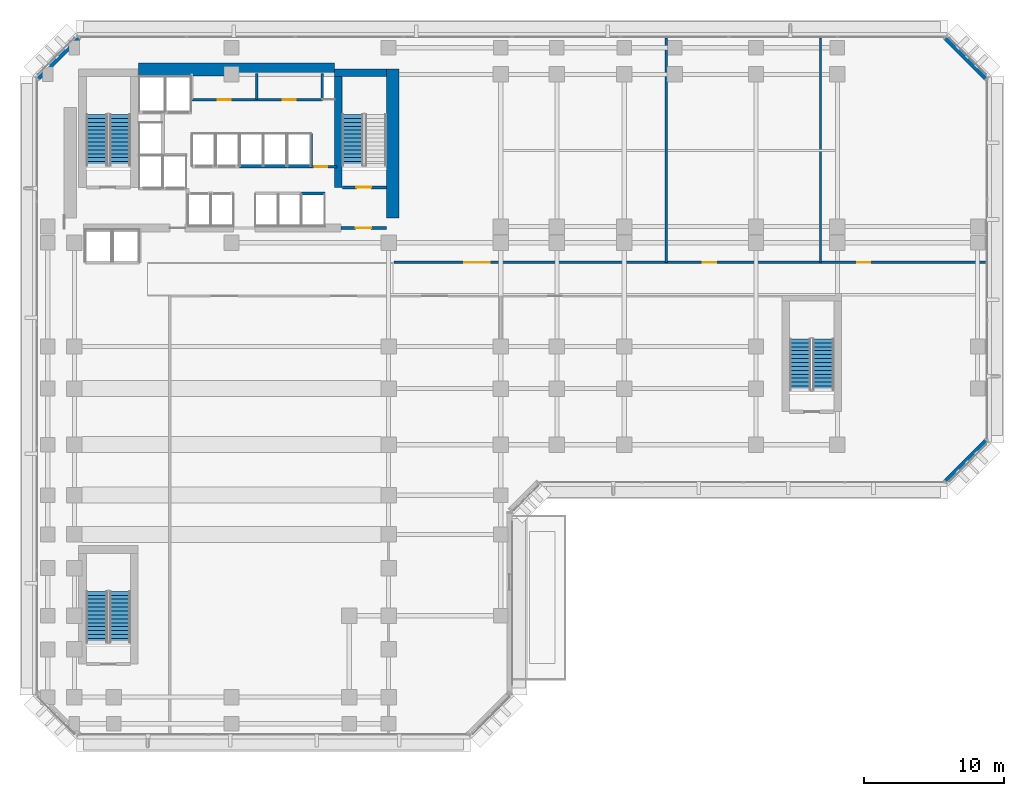
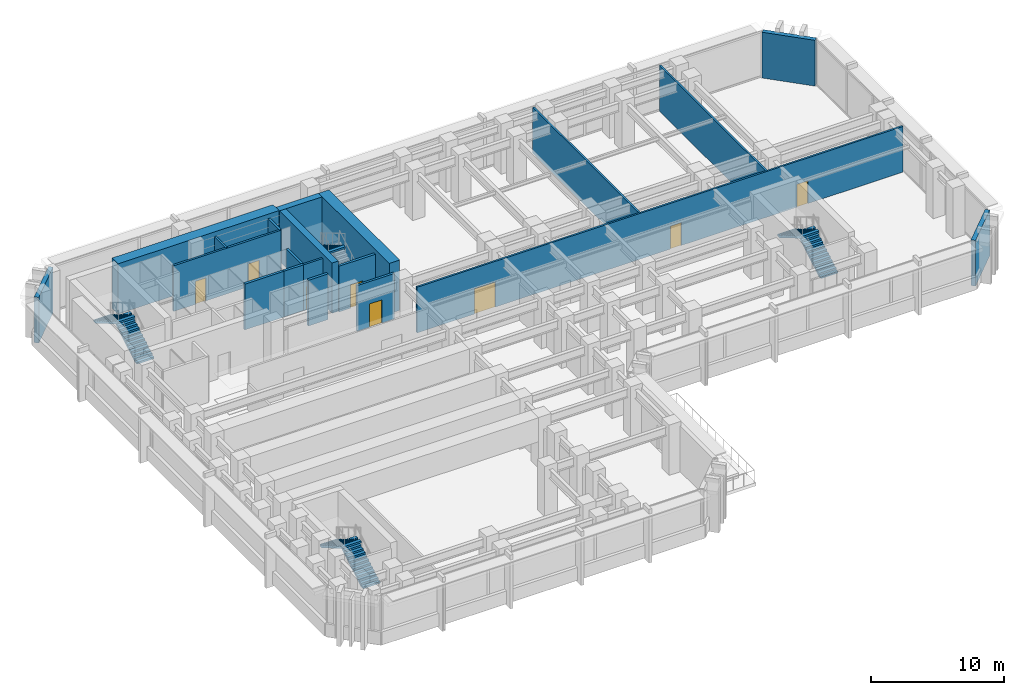
# One storey, part 8 of 16: 20 walls, 8 doors, 7 stair flights, 8 openings, 4 elements without a shape of their own.
"""IFC4 building model written with IfcOpenShell, lengths in metres."""

from ifc_helpers import new_model, si_unit, direction, frame, frame_2d, origin, place, context, subcontext, project, spatial, polyline, rectangle, outline, extrude, material, layer, layer_set, type_object, element, fill, aggregate, save


model = new_model("IFC4")

# Units and contexts
model_context = context("Model", 3, precision=1e-05, world=origin(), true_north=direction((0.0, 1.0)))
body_context = subcontext(model_context, "Body", "Model", "MODEL_VIEW")
ifc_project = project(units=[si_unit("LENGTHUNIT", "METRE"), si_unit("AREAUNIT", "SQUARE_METRE"), si_unit("VOLUMEUNIT", "CUBIC_METRE"), si_unit("PLANEANGLEUNIT", "RADIAN"), si_unit("MASSUNIT", "GRAM", prefix="KILO")], contexts=[model_context])

# Site, building, storey
site_placement = place(None, origin())
site = spatial("IfcSite", under=ifc_project, at=site_placement, CompositionType="ELEMENT")
building_placement = place(site_placement, origin())
building = spatial("IfcBuilding", under=site, at=building_placement, Name="Kefirva Bronze Tower", CompositionType="ELEMENT")
storey_placement = place(building_placement, frame((0.0, 0.0, 21.1201171875)))
storey = spatial("IfcBuildingStorey", under=building, at=storey_placement, Name="L04", CompositionType="ELEMENT", Elevation=21.1201171875)

# Wall, opening, door
ifc_material_1 = material(Name="Gypsum fireboard shaftwall")
ifc_layer_1 = layer(ifc_material_1, 0.219970703125, Name="Gypsum fireboard shaftwall")
ifc_layer_set_1 = layer_set([ifc_layer_1], Name="Gypsum fireboard shaftwall")
wall_type_1 = type_object("IfcWallType", Name="Fire-Rated Shaft Enclosure Wall 220mm", PredefinedType="PARTITIONING", material=ifc_layer_set_1)
wall_1_placement = place(storey_placement, frame((19.89990234375, 37.14990234375, 0.0), z_axis=(0.0, 0.0, 1.0), x_axis=(1.0, 0.0, 0.0)))
wall_1 = element("IfcWall", 1, at=wall_1_placement, inside=storey, type_object=wall_type_1, Name="L04 Partition W-L04-ST2S", PredefinedType="PARTITIONING", context=body_context, shape_type="SweptSolid", body=[
    extrude(rectangle(XDim=3.150146484375, YDim=0.219970703125, at=frame_2d((1.5751953125, 0.0))), origin(), (0.0, 0.0, 1.0), 4.199951171875),
])
opening_1_placement = place(wall_1_placement, frame((2.050048828125, 0.0, 0.0), z_axis=(0.0, 0.0, 1.0), x_axis=(-1.0, 0.0, 0.0)))
opening_1 = element("IfcOpeningElement", 2, at=opening_1_placement, cuts=wall_1, Name="Opening L04-D003", PredefinedType="OPENING", context=body_context, shape_type="SweptSolid", body=[
    extrude(rectangle(XDim=1.050048828125, YDim=2.14990234375, at=frame_2d((0.52490234375, 1.074951171875))), frame((0.0, 0.1201171875, 0.0), z_axis=(0.0, -1.0, 0.0), x_axis=(1.0, 0.0, 0.0)), (0.0, 0.0, 1.0), 0.239990234375),
])
ifc_material_2 = material(Name="Painted galvanized steel", Category="steel")
door_type_1 = type_object("IfcDoorType", Name="Fire Stair Enclosure Door 1050x2150 FD90S", OperationType="NOTDEFINED", PredefinedType="DOOR", material=ifc_material_2)
door_1_placement = place(opening_1_placement, origin())
door_1 = element("IfcDoor", 3, at=door_1_placement, inside=storey, type_object=door_type_1, Name="Door L04-D003", OperationType="SINGLE_SWING_RIGHT", OverallHeight=2.14990234375, OverallWidth=1.050048828125, PredefinedType="DOOR", context=body_context, shape_type="SweptSolid", body=[
    extrude(rectangle(XDim=1.050048828125, YDim=2.14990234375, at=frame_2d((0.52490234375, 1.074951171875))), frame((0.0, 0.02490234375, 0.0), z_axis=(0.0, -1.0, 0.0), x_axis=(1.0, 0.0, 0.0)), (0.0, 0.0, 1.0), 0.050048828125),
])
fill(opening_1, door_1)

# Walls
wall_2_placement = place(storey_placement, frame((17.679931640625, 38.64990234375, 0.0), z_axis=(0.0, 0.0, 1.0), x_axis=(0.0, 1.0, 0.0)))
element("IfcWall", 4, at=wall_2_placement, inside=storey, type_object=wall_type_1, Name="L04 Partition W-L04-HP2E", PredefinedType="PARTITIONING", context=body_context, shape_type="SweptSolid", body=[
    extrude(rectangle(XDim=2.35009765625, YDim=0.199951171875, at=frame_2d((1.175048828125, 0.0))), origin(), (0.0, 0.0, 1.0), 4.199951171875),
])
wall_3_placement = place(storey_placement, frame((12.580078125, 38.64990234375, 0.0), z_axis=(0.0, 0.0, 1.0), x_axis=(1.0, 0.0, 0.0)))
element("IfcWall", 5, at=wall_3_placement, inside=storey, type_object=wall_type_1, Name="L04 Partition W-L04-MPN", PredefinedType="PARTITIONING", context=body_context, shape_type="SweptSolid", body=[
    extrude(rectangle(XDim=3.3798828125, YDim=0.219970703125, at=frame_2d((1.68994140625, 0.0))), origin(), (0.0, 0.0, 1.0), 4.199951171875),
])
wall_4_placement = place(storey_placement, frame((16.97998046875, 36.699951171875, 0.0), z_axis=(0.0, 0.0, 1.0), x_axis=(1.0, 0.0, 0.0)))
element("IfcWall", 6, at=wall_4_placement, inside=storey, type_object=wall_type_1, Name="L04 Partition W-L04-HPS", PredefinedType="PARTITIONING", context=body_context, shape_type="SweptSolid", body=[
    extrude(rectangle(XDim=1.699951171875, YDim=0.219970703125, at=frame_2d((0.85009765625, 0.0))), origin(), (0.0, 0.0, 1.0), 4.199951171875),
])
wall_5_placement = place(storey_placement, frame((15.97998046875, 38.64990234375, 0.0), z_axis=(0.0, 0.0, 1.0), x_axis=(1.0, 0.0, 0.0)))
element("IfcWall", 7, at=wall_5_placement, inside=storey, type_object=wall_type_1, Name="L04 Partition W-L04-HPN", PredefinedType="PARTITIONING", context=body_context, shape_type="SweptSolid", body=[
    extrude(rectangle(XDim=1.719970703125, YDim=0.219970703125, at=frame_2d((0.85986328125, 0.0))), origin(), (0.0, 0.0, 1.0), 4.199951171875),
])

# Wall, opening, door
ifc_material_3 = material(Name="Gypsum fireboard barrier")
ifc_layer_2 = layer(ifc_material_3, 0.199951171875, Name="Gypsum fireboard barrier")
ifc_layer_set_2 = layer_set([ifc_layer_2], Name="Gypsum fireboard barrier")
wall_type_2 = type_object("IfcWallType", Name="Firefighting Lobby Barrier Wall 200mm", PredefinedType="PARTITIONING", material=ifc_layer_set_2)
wall_6_placement = place(storey_placement, frame((19.800048828125, 34.25, 0.0), z_axis=(0.0, 0.0, 1.0), x_axis=(1.0, 0.0, 0.0)))
wall_6 = element("IfcWall", 8, at=wall_6_placement, inside=storey, type_object=wall_type_2, Name="L04 Partition W-L04-ST2F", PredefinedType="PARTITIONING", context=body_context, shape_type="SweptSolid", body=[
    extrude(rectangle(XDim=3.25, YDim=0.199951171875, at=frame_2d((1.625, 0.0))), origin(), (0.0, 0.0, 1.0), 4.199951171875),
])
opening_2_placement = place(wall_6_placement, frame((2.150146484375, 0.0, 0.0), z_axis=(0.0, 0.0, 1.0), x_axis=(-1.0, 0.0, 0.0)))
opening_2 = element("IfcOpeningElement", 9, at=opening_2_placement, cuts=wall_6, Name="Opening L04-D004", PredefinedType="OPENING", context=body_context, shape_type="SweptSolid", body=[
    extrude(rectangle(XDim=1.10009765625, YDim=2.14990234375, at=frame_2d((0.550048828125, 1.074951171875))), frame((0.0, 0.10986328125, 0.0), z_axis=(0.0, -1.0, 0.0), x_axis=(1.0, 0.0, 0.0)), (0.0, 0.0, 1.0), 0.219970703125),
])
door_type_2 = type_object("IfcDoorType", Name="Firefighting Lobby Smoke Door 1100x2150 FD60S", OperationType="NOTDEFINED", PredefinedType="DOOR", material=ifc_material_2)
door_2_placement = place(opening_2_placement, origin())
door_2 = element("IfcDoor", 10, at=door_2_placement, inside=storey, type_object=door_type_2, Name="Door L04-D004", OperationType="SINGLE_SWING_LEFT", OverallHeight=2.14990234375, OverallWidth=1.10009765625, PredefinedType="DOOR", context=body_context, shape_type="SweptSolid", body=[
    extrude(rectangle(XDim=1.10009765625, YDim=2.14990234375, at=frame_2d((0.550048828125, 1.074951171875))), frame((0.0, 0.02490234375, 0.0), z_axis=(0.0, -1.0, 0.0), x_axis=(1.0, 0.0, 0.0)), (0.0, 0.0, 1.0), 0.050048828125),
])
fill(opening_2, door_2)

wall_7_placement = place(storey_placement, frame((17.679931640625, 38.6201171875, 0.0), z_axis=(0.0, 0.0, 1.0), x_axis=(1.0, 0.0, 0.0)))
wall_7 = element("IfcWall", 11, at=wall_7_placement, inside=storey, type_object=wall_type_2, Name="L04 Partition W-L04-CPASS", PredefinedType="PARTITIONING", context=body_context, shape_type="SweptSolid", body=[
    extrude(rectangle(XDim=1.840087890625, YDim=0.179931640625, at=frame_2d((0.919921875, 0.0))), origin(), (0.0, 0.0, 1.0), 4.199951171875),
])
opening_3_placement = place(wall_7_placement, frame((0.239990234375, 0.0, 0.0)))
opening_3 = element("IfcOpeningElement", 12, at=opening_3_placement, cuts=wall_7, Name="Opening L04-D-CPAS", PredefinedType="OPENING", context=body_context, shape_type="SweptSolid", body=[
    extrude(rectangle(XDim=0.919921875, YDim=2.10009765625, at=frame_2d((0.4599609375, 1.050048828125))), frame((0.0, 0.10009765625, 0.0), z_axis=(0.0, -1.0, 0.0), x_axis=(1.0, 0.0, 0.0)), (0.0, 0.0, 1.0), 0.199951171875),
])
ifc_material_4 = material(Name="Moisture-resistant timber", Category="wood")
door_type_3 = type_object("IfcDoorType", Name="Accessible Sanitary & WC Door 920x2100", OperationType="NOTDEFINED", PredefinedType="DOOR", material=ifc_material_4)
door_3_placement = place(opening_3_placement, origin())
door_3 = element("IfcDoor", 13, at=door_3_placement, inside=storey, type_object=door_type_3, Name="Door L04-D-CPAS", OperationType="SINGLE_SWING_RIGHT", OverallHeight=2.10009765625, OverallWidth=0.919921875, PredefinedType="DOOR", context=body_context, shape_type="SweptSolid", body=[
    extrude(rectangle(XDim=0.919921875, YDim=2.10009765625, at=frame_2d((0.4599609375, 1.050048828125))), frame((0.0, 0.02490234375, 0.0), z_axis=(0.0, -1.0, 0.0), x_axis=(1.0, 0.0, 0.0)), (0.0, 0.0, 1.0), 0.050048828125),
])
fill(opening_3, door_3)

# Walls
ifc_material_5 = material(Name="Precast concrete C40/50", Category="concrete")
ifc_layer_3 = layer(ifc_material_5, 0.360107421875, Name="Precast concrete C40/50")
ifc_layer_set_3 = layer_set([ifc_layer_3], Name="Precast concrete C40/50")
wall_type_3 = type_object("IfcWallType", Name="Precast Podium Facade Wall 360mm", PredefinedType="SOLIDWALL", material=ifc_layer_set_3)
for number, where, z_axis, x_axis, name in (
    (14, (62.91162109375, 16.166259765625, 0.0), (0.0, 0.0, 1.0), (0.707106781187, 0.707106781187, 0.0), "L04 Exterior Facade Wall 4"),
    (15, (65.833740234375, 44.91162109375, 0.0), (0.0, 0.0, 1.0), (-0.707106781187, 0.707106781187, 0.0), "L04 Exterior Facade Wall 5"),
    (16, (1.08837890625, 47.833740234375, 0.0), (0.0, 0.0, 1.0), (-0.707106781187, -0.707106781187, 0.0), "L04 Exterior Facade Wall 6"),
):
    element("IfcWall", number, at=place(storey_placement, frame(where, z_axis=z_axis, x_axis=x_axis)), inside=storey, type_object=wall_type_3, Name=name, PredefinedType="SOLIDWALL", context=body_context, shape_type="SweptSolid", body=[
        extrude(rectangle(XDim=4.132568359375, YDim=0.360107421875, at=frame_2d((2.06640625, 0.0))), origin(), (0.0, 0.0, 1.0), 4.199951171875),
    ])

# Wall, openings, doors
ifc_material_6 = material(Name="Gypsum acoustic partition")
ifc_layer_4 = layer(ifc_material_6, 0.159912109375, Name="Gypsum acoustic partition")
ifc_layer_set_4 = layer_set([ifc_layer_4], Name="Gypsum acoustic partition")
wall_type_4 = type_object("IfcWallType", Name="Protected Corridor Partition 160mm", PredefinedType="PARTITIONING", material=ifc_layer_set_4)
wall_8_placement = place(storey_placement, frame((23.60009765625, 31.800048828125, 0.0), z_axis=(0.0, 0.0, 1.0), x_axis=(1.0, 0.0, 0.0)))
wall_8 = element("IfcWall", 17, at=wall_8_placement, inside=storey, type_object=wall_type_4, Name="L04 Partition W-L04-N", PredefinedType="PARTITIONING", context=body_context, shape_type="SweptSolid", body=[
    extrude(rectangle(XDim=42.2099609375, YDim=0.159912109375, at=frame_2d((21.10498046875, 0.0))), origin(), (0.0, 0.0, 1.0), 4.199951171875),
])
opening_4_placement = place(wall_8_placement, frame((5.0, 0.0, 0.0)))
opening_4 = element("IfcOpeningElement", 18, at=opening_4_placement, cuts=wall_8, Name="Opening L04-D-KIT", PredefinedType="OPENING", context=body_context, shape_type="SweptSolid", body=[
    extrude(rectangle(XDim=1.800048828125, YDim=2.300048828125, at=frame_2d((0.89990234375, 1.14990234375))), frame((0.0, 0.08984375, 0.0), z_axis=(0.0, -1.0, 0.0), x_axis=(1.0, 0.0, 0.0)), (0.0, 0.0, 1.0), 0.179931640625),
])
opening_5_placement = place(wall_8_placement, frame((22.0, 0.0, 0.0)))
opening_5 = element("IfcOpeningElement", 19, at=opening_5_placement, cuts=wall_8, Name="Opening L04-D-ST1", PredefinedType="OPENING", context=body_context, shape_type="SweptSolid", body=[
    extrude(rectangle(XDim=0.949951171875, YDim=2.10009765625, at=frame_2d((0.47509765625, 1.050048828125))), frame((0.0, 0.08984375, 0.0), z_axis=(0.0, -1.0, 0.0), x_axis=(1.0, 0.0, 0.0)), (0.0, 0.0, 1.0), 0.179931640625),
])
opening_6_placement = place(wall_8_placement, frame((33.0, 0.0, 0.0)))
opening_6 = element("IfcOpeningElement", 20, at=opening_6_placement, cuts=wall_8, Name="Opening L04-D-ST2", PredefinedType="OPENING", context=body_context, shape_type="SweptSolid", body=[
    extrude(rectangle(XDim=0.949951171875, YDim=2.10009765625, at=frame_2d((0.47509765625, 1.050048828125))), frame((0.0, 0.08984375, 0.0), z_axis=(0.0, -1.0, 0.0), x_axis=(1.0, 0.0, 0.0)), (0.0, 0.0, 1.0), 0.179931640625),
])
ifc_material_7 = material(Name="Acoustic hardwood oak", Category="wood")
door_type_4 = type_object("IfcDoorType", Name="Auditorium & Dining Double Door 1800x2300", OperationType="DOUBLE_DOOR_SINGLE_SWING", PredefinedType="DOOR", material=ifc_material_7)
door_4_placement = place(opening_4_placement, origin())
door_4 = element("IfcDoor", 21, at=door_4_placement, inside=storey, type_object=door_type_4, Name="Door L04-D-KIT", OperationType="SINGLE_SWING_LEFT", OverallHeight=2.300048828125, OverallWidth=1.800048828125, PredefinedType="DOOR", context=body_context, shape_type="SweptSolid", body=[
    extrude(rectangle(XDim=1.800048828125, YDim=2.300048828125, at=frame_2d((0.89990234375, 1.14990234375))), frame((0.0, 0.02490234375, 0.0), z_axis=(0.0, -1.0, 0.0), x_axis=(1.0, 0.0, 0.0)), (0.0, 0.0, 1.0), 0.050048828125),
])
fill(opening_4, door_4)
door_type_5 = type_object("IfcDoorType", Name="Riser & Plant Shaft Fire Door 950x2100 FD60S", OperationType="NOTDEFINED", PredefinedType="DOOR", material=ifc_material_2)
door_5_placement = place(opening_5_placement, origin())
door_5 = element("IfcDoor", 22, at=door_5_placement, inside=storey, type_object=door_type_5, Name="Door L04-D-ST1", OperationType="SINGLE_SWING_RIGHT", OverallHeight=2.10009765625, OverallWidth=0.949951171875, PredefinedType="DOOR", context=body_context, shape_type="SweptSolid", body=[
    extrude(rectangle(XDim=0.949951171875, YDim=2.10009765625, at=frame_2d((0.47509765625, 1.050048828125))), frame((0.0, 0.02490234375, 0.0), z_axis=(0.0, -1.0, 0.0), x_axis=(1.0, 0.0, 0.0)), (0.0, 0.0, 1.0), 0.050048828125),
])
fill(opening_5, door_5)
door_6_placement = place(opening_6_placement, origin())
door_6 = element("IfcDoor", 23, at=door_6_placement, inside=storey, type_object=door_type_5, Name="Door L04-D-ST2", OperationType="SINGLE_SWING_LEFT", OverallHeight=2.10009765625, OverallWidth=0.949951171875, PredefinedType="DOOR", context=body_context, shape_type="SweptSolid", body=[
    extrude(rectangle(XDim=0.949951171875, YDim=2.10009765625, at=frame_2d((0.47509765625, 1.050048828125))), frame((0.0, 0.02490234375, 0.0), z_axis=(0.0, -1.0, 0.0), x_axis=(1.0, 0.0, 0.0)), (0.0, 0.0, 1.0), 0.050048828125),
])
fill(opening_6, door_6)

# Walls
for number, where, z_axis, x_axis, name in (
    (24, (43.0, 31.800048828125, 0.0), (0.0, 0.0, 1.0), (0.0, 1.0, 0.0), "L04 Partition W-L04-NDV1"),
    (25, (54.0, 31.800048828125, 0.0), (0.0, 0.0, 1.0), (0.0, 1.0, 0.0), "L04 Partition W-L04-NDV2"),
):
    element("IfcWall", number, at=place(storey_placement, frame(where, z_axis=z_axis, x_axis=x_axis)), inside=storey, type_object=wall_type_4, Name=name, PredefinedType="PARTITIONING", context=body_context, shape_type="SweptSolid", body=[
        extrude(rectangle(XDim=16.010009765625, YDim=0.159912109375, at=frame_2d((8.0048828125, 0.0))), origin(), (0.0, 0.0, 1.0), 4.199951171875),
    ])
ifc_material_8 = material(Name="Concrete C50/60", Category="concrete")
ifc_layer_5 = layer(ifc_material_8, 0.550048828125, Name="Concrete C50/60")
ifc_layer_set_5 = layer_set([ifc_layer_5], Name="Concrete C50/60")
wall_type_5 = type_object("IfcWallType", Name="RC Rear Core Interior Wall 550mm", PredefinedType="SHEAR", material=ifc_layer_set_5)
wall_9_placement = place(storey_placement, frame((19.6201171875, 37.14990234375, 0.0), z_axis=(0.0, 0.0, 1.0), x_axis=(0.0, 1.0, 0.0)))
element("IfcWall", 26, at=wall_9_placement, inside=storey, type_object=wall_type_5, Name="L04 Stair 2 West Shear Wall", PredefinedType="SHEAR", context=body_context, shape_type="SweptSolid", body=[
    extrude(rectangle(XDim=7.89013671875, YDim=0.550048828125, at=frame_2d((3.945068359375, 0.0))), origin(), (0.0, 0.0, 1.0), 4.619873046875),
])
wall_10_placement = place(storey_placement, frame((19.35009765625, 45.320068359375, 0.0), z_axis=(0.0, 0.0, 1.0), x_axis=(1.0, 0.0, 0.0)))
element("IfcWall", 27, at=wall_10_placement, inside=storey, type_object=wall_type_5, Name="L04 Stair 2 North Shear Wall", PredefinedType="SHEAR", context=body_context, shape_type="SweptSolid", body=[
    extrude(rectangle(XDim=3.68994140625, YDim=0.550048828125, at=frame_2d((1.844970703125, 0.0))), origin(), (0.0, 0.0, 1.0), 4.619873046875),
])
ifc_material_9 = material(Name="Concrete C60/75", Category="concrete")
ifc_layer_6 = layer(ifc_material_9, 0.89990234375, Name="Concrete C60/75")
ifc_layer_set_6 = layer_set([ifc_layer_6], Name="Concrete C60/75")
wall_type_6 = type_object("IfcWallType", Name="RC Rear Core Interior Wall 900mm", PredefinedType="SHEAR", material=ifc_layer_set_6)
wall_11_placement = place(storey_placement, frame((5.360107421875, 45.550048828125, 0.0), z_axis=(0.0, 0.0, 1.0), x_axis=(1.0, 0.0, 0.0)))
element("IfcWall", 28, at=wall_11_placement, inside=storey, type_object=wall_type_6, Name="L04 Rear Core North Shear Wall", PredefinedType="SHEAR", context=body_context, shape_type="SweptSolid", body=[
    extrude(rectangle(XDim=13.97998046875, YDim=0.89990234375, at=frame_2d((6.989990234375, 0.0))), origin(), (0.0, 0.0, 1.0), 4.619873046875),
])
wall_12_placement = place(storey_placement, frame((23.5, 34.949951171875, 0.0), z_axis=(0.0, 0.0, 1.0), x_axis=(0.0, 1.0, 0.0)))
element("IfcWall", 29, at=wall_12_placement, inside=storey, type_object=wall_type_6, Name="L04 Rear Core East Shear Wall", PredefinedType="SHEAR", context=body_context, shape_type="SweptSolid", body=[
    extrude(rectangle(XDim=10.64013671875, YDim=0.89990234375, at=frame_2d((5.320068359375, 0.0))), origin(), (0.0, 0.0, 1.0), 4.619873046875),
])

# Wall, openings, doors
ifc_material_10 = material(Name="Moisture-resistant partition")
ifc_layer_7 = layer(ifc_material_10, 0.179931640625, Name="Moisture-resistant partition")
ifc_layer_set_7 = layer_set([ifc_layer_7], Name="Moisture-resistant partition")
wall_type_7 = type_object("IfcWallType", Name="Sanitary Plumbing Chase Wall 180mm", PredefinedType="PLUMBINGWALL", material=ifc_layer_set_7)
wall_13_placement = place(storey_placement, frame((9.14990234375, 43.39990234375, 0.0), z_axis=(0.0, 0.0, 1.0), x_axis=(1.0, 0.0, 0.0)))
wall_13 = element("IfcWall", 30, at=wall_13_placement, inside=storey, type_object=wall_type_7, Name="L04 Partition W-L04-SVCS", PredefinedType="PLUMBINGWALL", context=body_context, shape_type="SweptSolid", body=[
    extrude(rectangle(XDim=9.330078125, YDim=0.179931640625, at=frame_2d((4.6650390625, 0.0))), origin(), (0.0, 0.0, 1.0), 4.199951171875),
])
opening_7_placement = place(wall_13_placement, frame((1.8798828125, 0.0, 0.0)))
opening_7 = element("IfcOpeningElement", 31, at=opening_7_placement, cuts=wall_13, Name="Opening L04-D-CSVC1", PredefinedType="OPENING", context=body_context, shape_type="SweptSolid", body=[
    extrude(rectangle(XDim=0.919921875, YDim=2.10009765625, at=frame_2d((0.4599609375, 1.050048828125))), frame((0.0, 0.10009765625, 0.0), z_axis=(0.0, -1.0, 0.0), x_axis=(1.0, 0.0, 0.0)), (0.0, 0.0, 1.0), 0.199951171875),
])
opening_8_placement = place(wall_13_placement, frame((6.514892578125, 0.0, 0.0)))
opening_8 = element("IfcOpeningElement", 32, at=opening_8_placement, cuts=wall_13, Name="Opening L04-D-CSVC2", PredefinedType="OPENING", context=body_context, shape_type="SweptSolid", body=[
    extrude(rectangle(XDim=0.919921875, YDim=2.10009765625, at=frame_2d((0.4599609375, 1.050048828125))), frame((0.0, 0.10009765625, 0.0), z_axis=(0.0, -1.0, 0.0), x_axis=(1.0, 0.0, 0.0)), (0.0, 0.0, 1.0), 0.199951171875),
])
door_7_placement = place(opening_7_placement, origin())
door_7 = element("IfcDoor", 33, at=door_7_placement, inside=storey, type_object=door_type_3, Name="Door L04-D-CSVC1", OperationType="SINGLE_SWING_LEFT", OverallHeight=2.10009765625, OverallWidth=0.919921875, PredefinedType="DOOR", context=body_context, shape_type="SweptSolid", body=[
    extrude(rectangle(XDim=0.919921875, YDim=2.10009765625, at=frame_2d((0.4599609375, 1.050048828125))), frame((0.0, 0.02490234375, 0.0), z_axis=(0.0, -1.0, 0.0), x_axis=(1.0, 0.0, 0.0)), (0.0, 0.0, 1.0), 0.050048828125),
])
fill(opening_7, door_7)
door_8_placement = place(opening_8_placement, origin())
door_8 = element("IfcDoor", 34, at=door_8_placement, inside=storey, type_object=door_type_3, Name="Door L04-D-CSVC2", OperationType="SINGLE_SWING_RIGHT", OverallHeight=2.10009765625, OverallWidth=0.919921875, PredefinedType="DOOR", context=body_context, shape_type="SweptSolid", body=[
    extrude(rectangle(XDim=0.919921875, YDim=2.10009765625, at=frame_2d((0.4599609375, 1.050048828125))), frame((0.0, 0.02490234375, 0.0), z_axis=(0.0, -1.0, 0.0), x_axis=(1.0, 0.0, 0.0)), (0.0, 0.0, 1.0), 0.050048828125),
])
fill(opening_8, door_8)

# Walls
for number, where, z_axis, x_axis, name in (
    (35, (18.47998046875, 43.39990234375, 0.0), (0.0, 0.0, 1.0), (0.0, 1.0, 0.0), "L04 Partition W-L04-SVCE"),
    (36, (13.800048828125, 43.39990234375, 0.0), (0.0, 0.0, 1.0), (0.0, 1.0, 0.0), "L04 Partition W-L04-CSVD-1"),
):
    element("IfcWall", number, at=place(storey_placement, frame(where, z_axis=z_axis, x_axis=x_axis)), inside=storey, type_object=wall_type_7, Name=name, PredefinedType="PLUMBINGWALL", context=body_context, shape_type="SweptSolid", body=[
        extrude(rectangle(XDim=1.880126953125, YDim=0.179931640625, at=frame_2d((0.93994140625, 0.0))), origin(), (0.0, 0.0, 1.0), 4.199951171875),
    ])

# Stair, stair flights
ifc_material_11 = material(Name="Concrete C40/50", Category="concrete")
stair_type = type_object("IfcStairType", Name="RC Dogleg Protected Stair 28R", PredefinedType="HALF_TURN_STAIR", material=ifc_material_11)
stair_1_placement = place(storey_placement, origin())
stair_1 = element("IfcStair", 37, at=stair_1_placement, inside=storey, type_object=stair_type, Name="L04 Protected Exit Stair 1", PredefinedType="HALF_TURN_STAIR")
stair_flight_type = type_object("IfcStairFlightType", Name="RC Straight Stair Flight 28R", PredefinedType="STRAIGHT", material=ifc_material_11)
stair_flight_1_placement = place(storey_placement, frame((4.050048828125, 38.699951171875, 0.0), z_axis=(0.0, 0.0, 1.0), x_axis=(0.0, 1.0, 0.0)))
stair_flight_1 = element("IfcStairFlight", 38, at=stair_flight_1_placement, type_object=stair_flight_type, Name="ST-1 flight 1", NumberOfRisers=14, NumberOfTreads=13, PredefinedType="STRAIGHT", RiserHeight=0.165, TreadLength=0.28, context=body_context, shape_type="SweptSolid", body=[
    extrude(outline(polyline([(0.0, 0.0), (0.0, 0.1650390625), (0.280029296875, 0.1650390625), (0.280029296875, 0.330078125), (0.56005859375, 0.330078125), (0.56005859375, 0.4951171875), (0.840087890625, 0.4951171875), (0.840087890625, 0.659912109375), (1.1201171875, 0.659912109375), (1.1201171875, 0.824951171875), (1.39990234375, 0.824951171875), (1.39990234375, 0.989990234375), (1.679931640625, 0.989990234375), (1.679931640625, 1.155029296875), (1.9599609375, 1.155029296875), (1.9599609375, 1.320068359375), (2.239990234375, 1.320068359375), (2.239990234375, 1.485107421875), (2.52001953125, 1.485107421875), (2.52001953125, 1.64990234375), (2.800048828125, 1.64990234375), (2.800048828125, 1.81494140625), (3.080078125, 1.81494140625), (3.080078125, 1.97998046875), (3.360107421875, 1.97998046875), (3.360107421875, 2.14501953125), (3.639892578125, 2.14501953125), (3.639892578125, 2.31005859375), (3.639892578125, 1.970947265625), (0.295166015625, 0.0), (0.0, 0.0)])), frame((0.0, 0.75, 0.0), z_axis=(0.0, -1.0, 0.0), x_axis=(1.0, 0.0, 0.0)), (0.0, 0.0, 1.0), 1.5),
])
stair_flight_2_placement = place(storey_placement, frame((2.39990234375, 42.340087890625, 2.309814453125), z_axis=(0.0, 0.0, 1.0), x_axis=(0.0, -1.0, 0.0)))
stair_flight_2 = element("IfcStairFlight", 39, at=stair_flight_2_placement, type_object=stair_flight_type, Name="ST-1 flight 2", NumberOfRisers=14, NumberOfTreads=13, PredefinedType="STRAIGHT", RiserHeight=0.165, TreadLength=0.28, context=body_context, shape_type="SweptSolid", body=[
    extrude(outline(polyline([(0.0, 0.0), (0.0, 0.1650390625), (0.280029296875, 0.1650390625), (0.280029296875, 0.330078125), (0.56005859375, 0.330078125), (0.56005859375, 0.4951171875), (0.840087890625, 0.4951171875), (0.840087890625, 0.659912109375), (1.1201171875, 0.659912109375), (1.1201171875, 0.824951171875), (1.39990234375, 0.824951171875), (1.39990234375, 0.989990234375), (1.679931640625, 0.989990234375), (1.679931640625, 1.155029296875), (1.9599609375, 1.155029296875), (1.9599609375, 1.320068359375), (2.239990234375, 1.320068359375), (2.239990234375, 1.485107421875), (2.52001953125, 1.485107421875), (2.52001953125, 1.64990234375), (2.800048828125, 1.64990234375), (2.800048828125, 1.81494140625), (3.080078125, 1.81494140625), (3.080078125, 1.97998046875), (3.360107421875, 1.97998046875), (3.360107421875, 2.14501953125), (3.639892578125, 2.14501953125), (3.639892578125, 2.31005859375), (3.639892578125, 1.970947265625), (0.295166015625, 0.0), (0.0, 0.0)])), frame((0.0, 0.75, 0.0), z_axis=(0.0, -1.0, 0.0), x_axis=(1.0, 0.0, 0.0)), (0.0, 0.0, 1.0), 1.5),
])
aggregate(stair_1, [stair_flight_1, stair_flight_2])

# Stair, stair flight
stair_2_placement = place(storey_placement, origin())
stair_2 = element("IfcStair", 40, at=stair_2_placement, inside=storey, type_object=stair_type, Name="L04 Protected Exit Stair 2", PredefinedType="HALF_TURN_STAIR")
stair_flight_3_placement = place(storey_placement, frame((20.64990234375, 42.340087890625, 2.309814453125), z_axis=(0.0, 0.0, 1.0), x_axis=(0.0, -1.0, 0.0)))
stair_flight_3 = element("IfcStairFlight", 41, at=stair_flight_3_placement, type_object=stair_flight_type, Name="ST-2 flight 2", NumberOfRisers=14, NumberOfTreads=13, PredefinedType="STRAIGHT", RiserHeight=0.165, TreadLength=0.28, context=body_context, shape_type="SweptSolid", body=[
    extrude(outline(polyline([(0.0, 0.0), (0.0, 0.1650390625), (0.280029296875, 0.1650390625), (0.280029296875, 0.330078125), (0.56005859375, 0.330078125), (0.56005859375, 0.4951171875), (0.840087890625, 0.4951171875), (0.840087890625, 0.659912109375), (1.1201171875, 0.659912109375), (1.1201171875, 0.824951171875), (1.39990234375, 0.824951171875), (1.39990234375, 0.989990234375), (1.679931640625, 0.989990234375), (1.679931640625, 1.155029296875), (1.9599609375, 1.155029296875), (1.9599609375, 1.320068359375), (2.239990234375, 1.320068359375), (2.239990234375, 1.485107421875), (2.52001953125, 1.485107421875), (2.52001953125, 1.64990234375), (2.800048828125, 1.64990234375), (2.800048828125, 1.81494140625), (3.080078125, 1.81494140625), (3.080078125, 1.97998046875), (3.360107421875, 1.97998046875), (3.360107421875, 2.14501953125), (3.639892578125, 2.14501953125), (3.639892578125, 2.31005859375), (3.639892578125, 1.970947265625), (0.295166015625, 0.0), (0.0, 0.0)])), frame((0.0, 0.75, 0.0), z_axis=(0.0, -1.0, 0.0), x_axis=(1.0, 0.0, 0.0)), (0.0, 0.0, 1.0), 1.5),
])
aggregate(stair_2, [stair_flight_3])

# Stair, stair flights
stair_3_placement = place(storey_placement, origin())
stair_3 = element("IfcStair", 42, at=stair_3_placement, inside=storey, type_object=stair_type, Name="L04 Podium Exit Stair 3", PredefinedType="HALF_TURN_STAIR")
stair_flight_4_placement = place(storey_placement, frame((4.050048828125, 4.699951171875, 0.0), z_axis=(0.0, 0.0, 1.0), x_axis=(0.0, 1.0, 0.0)))
stair_flight_4 = element("IfcStairFlight", 43, at=stair_flight_4_placement, type_object=stair_flight_type, Name="ST-3 flight 1", NumberOfRisers=14, NumberOfTreads=13, PredefinedType="STRAIGHT", RiserHeight=0.165, TreadLength=0.28, context=body_context, shape_type="SweptSolid", body=[
    extrude(outline(polyline([(0.0, 0.0), (0.0, 0.1650390625), (0.280029296875, 0.1650390625), (0.280029296875, 0.330078125), (0.56005859375, 0.330078125), (0.56005859375, 0.4951171875), (0.840087890625, 0.4951171875), (0.840087890625, 0.659912109375), (1.1201171875, 0.659912109375), (1.1201171875, 0.824951171875), (1.39990234375, 0.824951171875), (1.39990234375, 0.989990234375), (1.679931640625, 0.989990234375), (1.679931640625, 1.155029296875), (1.9599609375, 1.155029296875), (1.9599609375, 1.320068359375), (2.239990234375, 1.320068359375), (2.239990234375, 1.485107421875), (2.52001953125, 1.485107421875), (2.52001953125, 1.64990234375), (2.800048828125, 1.64990234375), (2.800048828125, 1.81494140625), (3.080078125, 1.81494140625), (3.080078125, 1.97998046875), (3.360107421875, 1.97998046875), (3.360107421875, 2.14501953125), (3.639892578125, 2.14501953125), (3.639892578125, 2.31005859375), (3.639892578125, 1.970947265625), (0.295166015625, 0.0), (0.0, 0.0)])), frame((0.0, 0.75, 0.0), z_axis=(0.0, -1.0, 0.0), x_axis=(1.0, 0.0, 0.0)), (0.0, 0.0, 1.0), 1.5),
])
stair_flight_5_placement = place(storey_placement, frame((2.39990234375, 8.340087890625, 2.309814453125), z_axis=(0.0, 0.0, 1.0), x_axis=(0.0, -1.0, 0.0)))
stair_flight_5 = element("IfcStairFlight", 44, at=stair_flight_5_placement, type_object=stair_flight_type, Name="ST-3 flight 2", NumberOfRisers=14, NumberOfTreads=13, PredefinedType="STRAIGHT", RiserHeight=0.165, TreadLength=0.28, context=body_context, shape_type="SweptSolid", body=[
    extrude(outline(polyline([(0.0, 0.0), (0.0, 0.1650390625), (0.280029296875, 0.1650390625), (0.280029296875, 0.330078125), (0.56005859375, 0.330078125), (0.56005859375, 0.4951171875), (0.840087890625, 0.4951171875), (0.840087890625, 0.659912109375), (1.1201171875, 0.659912109375), (1.1201171875, 0.824951171875), (1.39990234375, 0.824951171875), (1.39990234375, 0.989990234375), (1.679931640625, 0.989990234375), (1.679931640625, 1.155029296875), (1.9599609375, 1.155029296875), (1.9599609375, 1.320068359375), (2.239990234375, 1.320068359375), (2.239990234375, 1.485107421875), (2.52001953125, 1.485107421875), (2.52001953125, 1.64990234375), (2.800048828125, 1.64990234375), (2.800048828125, 1.81494140625), (3.080078125, 1.81494140625), (3.080078125, 1.97998046875), (3.360107421875, 1.97998046875), (3.360107421875, 2.14501953125), (3.639892578125, 2.14501953125), (3.639892578125, 2.31005859375), (3.639892578125, 1.970947265625), (0.295166015625, 0.0), (0.0, 0.0)])), frame((0.0, 0.75, 0.0), z_axis=(0.0, -1.0, 0.0), x_axis=(1.0, 0.0, 0.0)), (0.0, 0.0, 1.0), 1.5),
])
aggregate(stair_3, [stair_flight_4, stair_flight_5])

stair_4_placement = place(storey_placement, origin())
stair_4 = element("IfcStair", 45, at=stair_4_placement, inside=storey, type_object=stair_type, Name="L04 Podium Exit Stair 4", PredefinedType="HALF_TURN_STAIR")
stair_flight_6_placement = place(storey_placement, frame((54.199951171875, 22.699951171875, 0.0), z_axis=(0.0, 0.0, 1.0), x_axis=(0.0, 1.0, 0.0)))
stair_flight_6 = element("IfcStairFlight", 46, at=stair_flight_6_placement, type_object=stair_flight_type, Name="ST-4 flight 1", NumberOfRisers=14, NumberOfTreads=13, PredefinedType="STRAIGHT", RiserHeight=0.165, TreadLength=0.28, context=body_context, shape_type="SweptSolid", body=[
    extrude(outline(polyline([(0.0, 0.0), (0.0, 0.1650390625), (0.280029296875, 0.1650390625), (0.280029296875, 0.330078125), (0.56005859375, 0.330078125), (0.56005859375, 0.4951171875), (0.840087890625, 0.4951171875), (0.840087890625, 0.659912109375), (1.1201171875, 0.659912109375), (1.1201171875, 0.824951171875), (1.39990234375, 0.824951171875), (1.39990234375, 0.989990234375), (1.679931640625, 0.989990234375), (1.679931640625, 1.155029296875), (1.9599609375, 1.155029296875), (1.9599609375, 1.320068359375), (2.239990234375, 1.320068359375), (2.239990234375, 1.485107421875), (2.52001953125, 1.485107421875), (2.52001953125, 1.64990234375), (2.800048828125, 1.64990234375), (2.800048828125, 1.81494140625), (3.080078125, 1.81494140625), (3.080078125, 1.97998046875), (3.360107421875, 1.97998046875), (3.360107421875, 2.14501953125), (3.639892578125, 2.14501953125), (3.639892578125, 2.31005859375), (3.639892578125, 1.970947265625), (0.295166015625, 0.0), (0.0, 0.0)])), frame((0.0, 0.75, 0.0), z_axis=(0.0, -1.0, 0.0), x_axis=(1.0, 0.0, 0.0)), (0.0, 0.0, 1.0), 1.5),
])
stair_flight_7_placement = place(storey_placement, frame((52.550048828125, 26.340087890625, 2.309814453125), z_axis=(0.0, 0.0, 1.0), x_axis=(0.0, -1.0, 0.0)))
stair_flight_7 = element("IfcStairFlight", 47, at=stair_flight_7_placement, type_object=stair_flight_type, Name="ST-4 flight 2", NumberOfRisers=14, NumberOfTreads=13, PredefinedType="STRAIGHT", RiserHeight=0.165, TreadLength=0.28, context=body_context, shape_type="SweptSolid", body=[
    extrude(outline(polyline([(0.0, 0.0), (0.0, 0.1650390625), (0.280029296875, 0.1650390625), (0.280029296875, 0.330078125), (0.56005859375, 0.330078125), (0.56005859375, 0.4951171875), (0.840087890625, 0.4951171875), (0.840087890625, 0.659912109375), (1.1201171875, 0.659912109375), (1.1201171875, 0.824951171875), (1.39990234375, 0.824951171875), (1.39990234375, 0.989990234375), (1.679931640625, 0.989990234375), (1.679931640625, 1.155029296875), (1.9599609375, 1.155029296875), (1.9599609375, 1.320068359375), (2.239990234375, 1.320068359375), (2.239990234375, 1.485107421875), (2.52001953125, 1.485107421875), (2.52001953125, 1.64990234375), (2.800048828125, 1.64990234375), (2.800048828125, 1.81494140625), (3.080078125, 1.81494140625), (3.080078125, 1.97998046875), (3.360107421875, 1.97998046875), (3.360107421875, 2.14501953125), (3.639892578125, 2.14501953125), (3.639892578125, 2.31005859375), (3.639892578125, 1.970947265625), (0.295166015625, 0.0), (0.0, 0.0)])), frame((0.0, 0.75, 0.0), z_axis=(0.0, -1.0, 0.0), x_axis=(1.0, 0.0, 0.0)), (0.0, 0.0, 1.0), 1.5),
])
aggregate(stair_4, [stair_flight_6, stair_flight_7])

save(model, "model.ifc")
